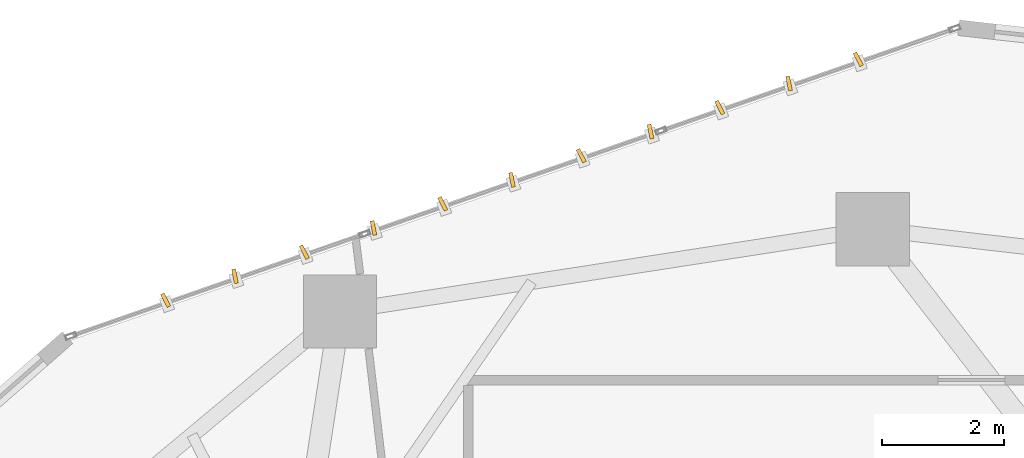
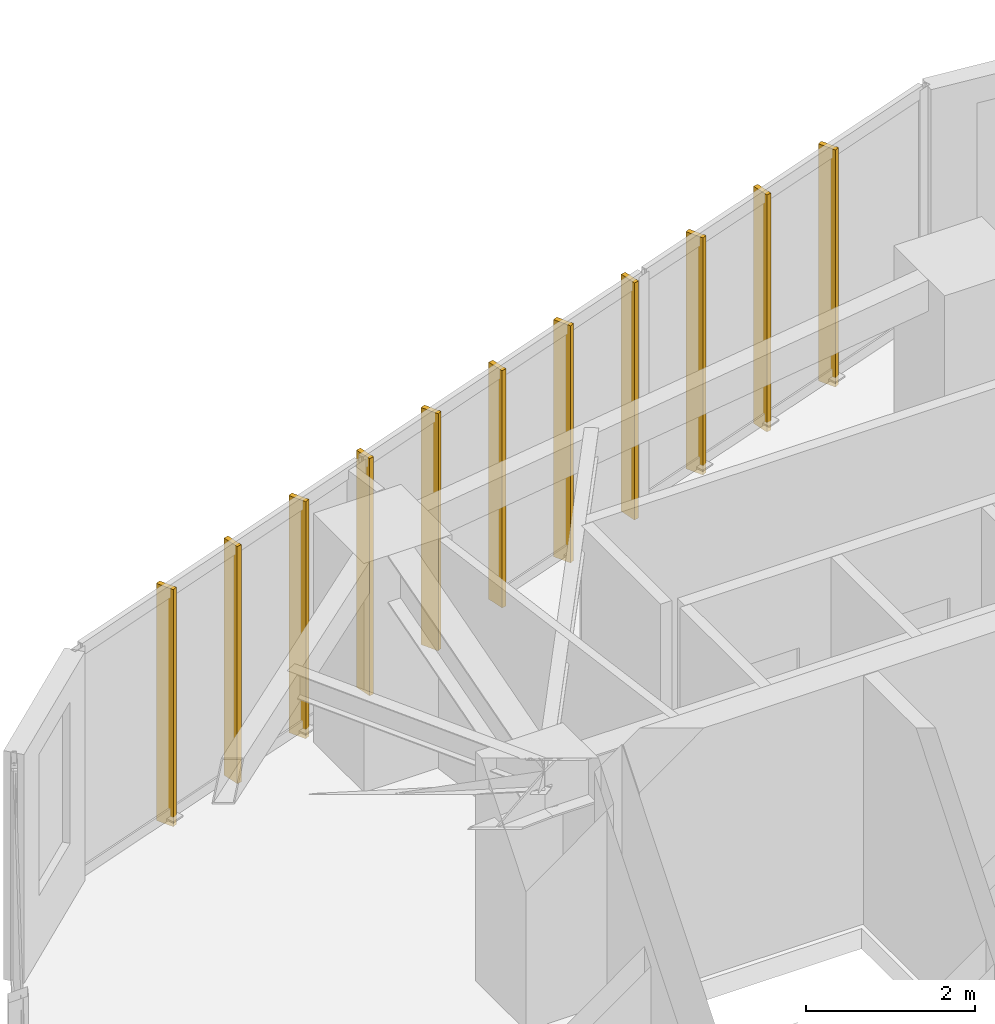
# One storey, part 21 of 21: 11 shading devices.
"""IFC4 building model written with IfcOpenShell, lengths in metres."""

from ifc_helpers import new_model, si_unit, direction, frame, origin, origin_2d, place, context, subcontext, project, spatial, rectangle, extrude, source, transform, mapped, material, layer, layer_set, type_object, type_shapes, element, save


model = new_model("IFC4")

# Units and contexts
model_context = context("Model", 3, precision=1e-05, world=origin(), true_north=direction((0.0, 1.0)))
body_context = subcontext(model_context, "Body", "Model", "MODEL_VIEW")
ifc_project = project(units=[si_unit("LENGTHUNIT", "METRE"), si_unit("AREAUNIT", "SQUARE_METRE"), si_unit("VOLUMEUNIT", "CUBIC_METRE"), si_unit("PLANEANGLEUNIT", "RADIAN"), si_unit("MASSUNIT", "GRAM", prefix="KILO")], contexts=[model_context])

# Site, building, storey
site_placement = place(None, origin())
site = spatial("IfcSite", under=ifc_project, at=site_placement, CompositionType="ELEMENT")
building_placement = place(site_placement, origin())
building = spatial("IfcBuilding", under=site, at=building_placement, Name="Talar Marvaseh", CompositionType="ELEMENT")
storey_placement = place(building_placement, frame((0.0, 0.0, 147.0)))
storey = spatial("IfcBuildingStorey", under=building, at=storey_placement, Name="L38", CompositionType="ELEMENT", Elevation=147.0)

# Shading devices
ifc_material = material(Name="Anodised Champagne Bronze Aluminium", Category="aluminium")
ifc_layer = layer(ifc_material, 0.06494140625)
ifc_layer_set = layer_set([ifc_layer], Name="Anodised Champagne Bronze Aluminium")
shading_device_type = type_object("IfcShadingDeviceType", Name="Sawtooth Champagne Bronze Vertical Fin 240", PredefinedType="USERDEFINED", material=ifc_layer_set)
shared_shape = source(origin(), body_context, "Body", "SweptSolid", [
    extrude(rectangle(XDim=0.239990234375, YDim=0.06494140625, at=origin_2d()), origin(), (0.0, 0.0, 1.0), 3.429931640625),
])
type_shapes(shading_device_type, [shared_shape])
for number, where, z_axis, x_axis, name in (
    (1, (16.6494140625, 42.306884765625, -0.1201171875), (0.0, 0.0, 1.0), (-0.456787434334, 0.889575876378, 0.0), "L38 Sawtooth Vertical Solar Fin"),
    (2, (17.782958984375, 42.701416015625, -0.1201171875), (0.0, 0.0, 1.0), (-0.193891921448, 0.981022896164, 0.0), "L38 Sawtooth Vertical Solar Fin"),
    (3, (18.916259765625, 43.095703125, -0.1201171875), (0.0, 0.0, 1.0), (-0.456787434334, 0.889575876378, 0.0), "L38 Sawtooth Vertical Solar Fin"),
    (4, (20.049560546875, 43.489990234375, -0.1201171875), (0.0, 0.0, 1.0), (-0.193891921448, 0.981022896164, 0.0), "L38 Sawtooth Vertical Solar Fin"),
    (5, (21.18310546875, 43.884033203125, -0.1201171875), (0.0, 0.0, 1.0), (-0.456787434334, 0.889575876378, 0.0), "L38 Sawtooth Vertical Solar Fin"),
    (6, (22.31640625, 44.2783203125, -0.1201171875), (0.0, 0.0, 1.0), (-0.193891921448, 0.981022896164, 0.0), "L38 Sawtooth Vertical Solar Fin"),
    (7, (23.44970703125, 44.672607421875, -0.1201171875), (0.0, 0.0, 1.0), (-0.456787434334, 0.889575876378, 0.0), "L38 Sawtooth Vertical Solar Fin"),
    (8, (24.583251953125, 45.06689453125, -0.1201171875), (0.0, 0.0, 1.0), (-0.193891921448, 0.981022896164, 0.0), "L38 Sawtooth Vertical Solar Fin"),
    (9, (25.716552734375, 45.461181640625, -0.1201171875), (0.0, 0.0, 1.0), (-0.456787434334, 0.889575876378, 0.0), "L38 Sawtooth Vertical Solar Fin"),
    (10, (26.849853515625, 45.855712890625, -0.1201171875), (0.0, 0.0, 1.0), (-0.193891921448, 0.981022896164, 0.0), "L38 Sawtooth Vertical Solar Fin"),
    (11, (27.9833984375, 46.249755859375, -0.1201171875), (0.0, 0.0, 1.0), (-0.456787434334, 0.889575876378, 0.0), "L38 Sawtooth Vertical Solar Fin"),
):
    element("IfcShadingDevice", number, at=place(storey_placement, frame(where, z_axis=z_axis, x_axis=x_axis)), inside=storey, type_object=shading_device_type, Name=name, ObjectType="FIN", PredefinedType="USERDEFINED", context=body_context, shape_type="MappedRepresentation", body=[
        mapped(shared_shape, transform((0.0, 0.0, 0.0), x_axis=(1.0, 0.0, 0.0), y_axis=(0.0, 1.0, 0.0), z_axis=(0.0, 0.0, 1.0), scale=1.0)),
    ])

save(model, "model.ifc")
